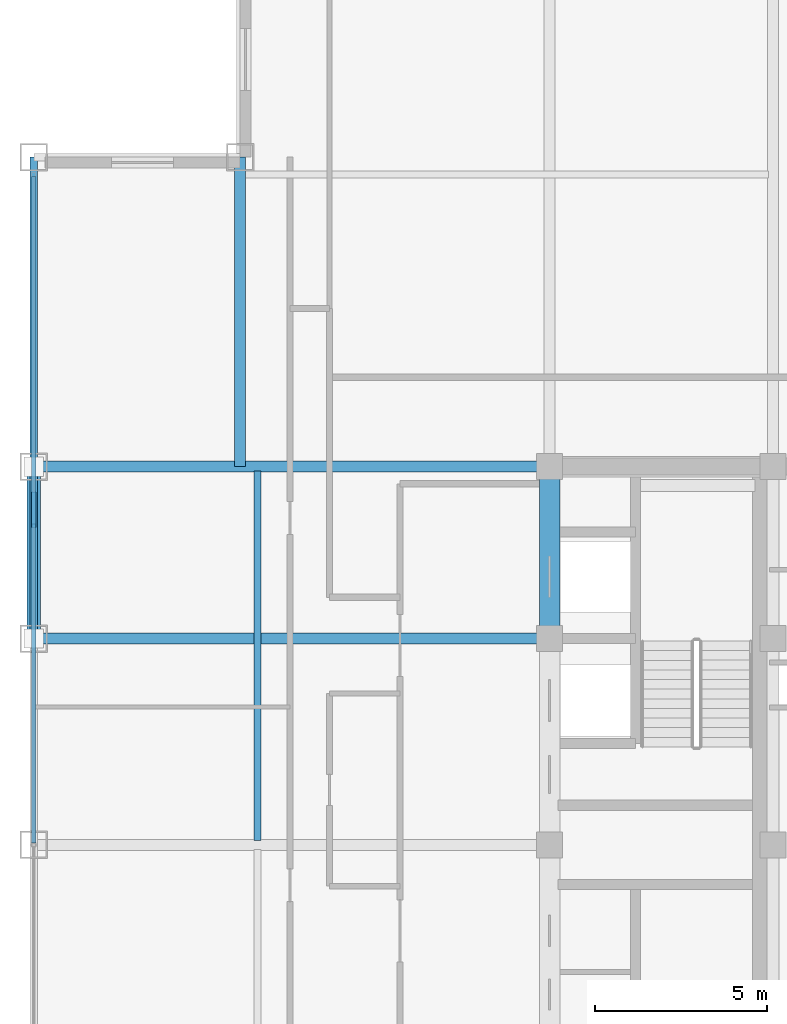
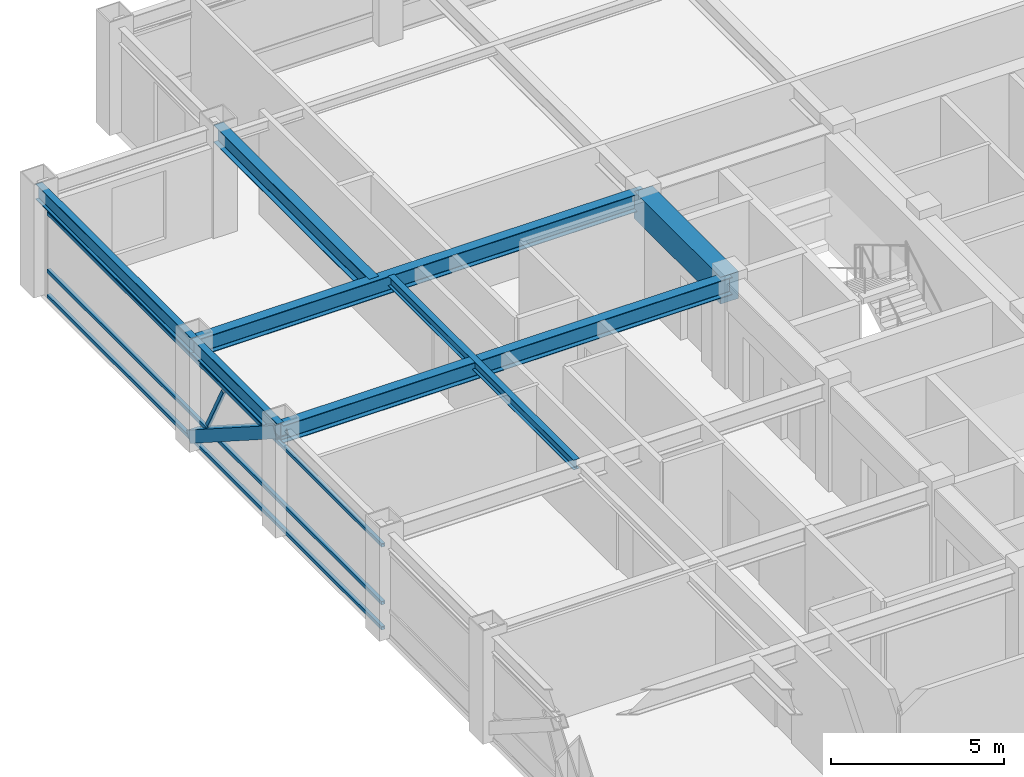
# One storey, part 13 of 32: 7 beams, 5 members, 1 element without a shape of its own.
"""IFC4 building model written with IfcOpenShell, lengths in metres."""

from ifc_helpers import new_model, si_unit, direction, frame, origin, origin_2d, place, context, subcontext, project, spatial, rectangle, hollow_rectangle, i_section, extrude, source, transform, mapped, material, material_profile, profile_set, type_object, element, aggregate, save


model = new_model("IFC4")

# Units and contexts
model_context = context("Model", 3, precision=1e-05, world=origin(), true_north=direction((0.0, 1.0)))
body_context = subcontext(model_context, "Body", "Model", "MODEL_VIEW")
ifc_project = project(units=[si_unit("LENGTHUNIT", "METRE"), si_unit("AREAUNIT", "SQUARE_METRE"), si_unit("VOLUMEUNIT", "CUBIC_METRE"), si_unit("PLANEANGLEUNIT", "RADIAN"), si_unit("MASSUNIT", "GRAM", prefix="KILO")], contexts=[model_context])

# Site, building, storey
site_placement = place(None, origin())
site = spatial("IfcSite", under=ifc_project, at=site_placement, CompositionType="ELEMENT")
building_placement = place(site_placement, origin())
building = spatial("IfcBuilding", under=site, at=building_placement, Name="Khorayat Bourse Tower", CompositionType="ELEMENT")
storey_placement = place(building_placement, frame((0.0, 0.0, 342.300048828125)))
storey = spatial("IfcBuildingStorey", under=building, at=storey_placement, Name="L81", CompositionType="ELEMENT", Elevation=342.300048828125)

# Beams
ifc_material_1 = material(Name="Concrete C60/75", Category="concrete")
ifc_material_profile_1 = material_profile(ifc_material_1, rectangle(XDim=0.60009765625, YDim=0.949951171875, at=origin_2d()), Name="RC 600x950")
ifc_profile_set_1 = profile_set([ifc_material_profile_1], Name="Concrete C60/75")
beam_type_1 = type_object("IfcBeamType", Name="BM-COUP-950", PredefinedType="BEAM", material=ifc_profile_set_1)
shared_shape_1 = source(origin(), body_context, "Body", "SweptSolid", [
    extrude(rectangle(XDim=0.60009765625, YDim=0.949951171875, at=origin_2d()), origin(), (0.0, 0.0, 1.0), 5.0),
])
beam_1_placement = place(storey_placement, frame((-11.0, 6.0, 3.224853515625), z_axis=(0.0, 1.0, 0.0), x_axis=(-1.0, 0.0, 0.0)))
element("IfcBeam", 1, at=beam_1_placement, inside=storey, type_object=beam_type_1, Name="L81 BM-COUP-950 BM-L81-CRX-04", PredefinedType="BEAM", context=body_context, shape_type="MappedRepresentation", body=[
    mapped(shared_shape_1, transform((0.0, 0.0, 0.0), scale=1.0)),
])
ifc_material_2 = material(Name="Steel ASTM A992 Grade 50", Category="steel")
ifc_material_profile_2 = material_profile(ifc_material_2, i_section(OverallWidth=0.202880859375, OverallDepth=0.346923828125, WebThickness=0.0078125, FlangeThickness=0.013427734375, FilletRadius=0.010009765625, at=origin_2d()), Name="W360X64")
ifc_profile_set_2 = profile_set([ifc_material_profile_2], Name="Steel ASTM A992 Grade 50")
beam_type_2 = type_object("IfcBeamType", Name="BM-JOIST-360", PredefinedType="JOIST", material=ifc_profile_set_2)
shared_shape_2 = source(origin(), body_context, "Body", "SweptSolid", [
    extrude(i_section(OverallWidth=0.202880859375, OverallDepth=0.346923828125, WebThickness=0.0078125, FlangeThickness=0.013427734375, FilletRadius=0.010009765625, at=origin_2d()), origin(), (0.0, 0.0, 1.0), 10.740234375),
])
beam_2_placement = place(storey_placement, frame((-19.5, 0.1298828125, 3.5263671875), z_axis=(0.0, 1.0, 0.0), x_axis=(-1.0, 0.0, 0.0)))
element("IfcBeam", 2, at=beam_2_placement, inside=storey, type_object=beam_type_2, Name="L81 BM-JOIST-360 BM-L81-JSTY-080", PredefinedType="JOIST", context=body_context, shape_type="MappedRepresentation", body=[
    mapped(shared_shape_2, transform((0.0, 0.0, 0.0), scale=1.0)),
])
ifc_material_profile_3 = material_profile(ifc_material_2, i_section(OverallWidth=0.214111328125, OverallDepth=0.549072265625, WebThickness=0.0146484375, FlangeThickness=0.023681640625, FilletRadius=0.013916015625, at=origin_2d()), Name="W530X138")
ifc_profile_set_3 = profile_set([ifc_material_profile_3], Name="Steel ASTM A992 Grade 50")
beam_type_3 = type_object("IfcBeamType", Name="BM-SPAN-530", PredefinedType="SPANDREL", material=ifc_profile_set_3)
shared_shape_3 = source(origin(), body_context, "Body", "SweptSolid", [
    extrude(i_section(OverallWidth=0.214111328125, OverallDepth=0.549072265625, WebThickness=0.0146484375, FlangeThickness=0.023681640625, FilletRadius=0.013916015625, at=origin_2d()), origin(), (0.0, 0.0, 1.0), 9.0),
])
beam_3_placement = place(storey_placement, frame((-26.0, 11.0, 3.425537109375), z_axis=(0.0, 1.0, 0.0), x_axis=(-1.0, 0.0, 0.0)))
element("IfcBeam", 3, at=beam_3_placement, inside=storey, type_object=beam_type_3, Name="L81 BM-SPAN-530 BM-L81-SPN-045", PredefinedType="SPANDREL", context=body_context, shape_type="MappedRepresentation", body=[
    mapped(shared_shape_3, transform((0.0, 0.0, 0.0), scale=1.0)),
])
shared_shape_4 = source(origin(), body_context, "Body", "SweptSolid", [
    extrude(i_section(OverallWidth=0.214111328125, OverallDepth=0.549072265625, WebThickness=0.0146484375, FlangeThickness=0.023681640625, FilletRadius=0.013916015625, at=origin_2d()), origin(), (0.0, 0.0, 1.0), 5.0),
])
beam_4_placement = place(storey_placement, frame((-26.0, 6.0, 3.425537109375), z_axis=(0.0, 1.0, 0.0), x_axis=(-1.0, 0.0, 0.0)))
element("IfcBeam", 4, at=beam_4_placement, inside=storey, type_object=beam_type_3, Name="L81 BM-SPAN-530 BM-L81-SPN-046", PredefinedType="SPANDREL", context=body_context, shape_type="MappedRepresentation", body=[
    mapped(shared_shape_4, transform((0.0, 0.0, 0.0), scale=1.0)),
])
ifc_material_profile_4 = material_profile(ifc_material_2, i_section(OverallWidth=0.324951171875, OverallDepth=0.615966796875, WebThickness=0.013916015625, FlangeThickness=0.021484375, FilletRadius=0.01611328125, at=origin_2d()), Name="W610X174")
ifc_profile_set_4 = profile_set([ifc_material_profile_4], Name="Steel ASTM A992 Grade 50")
beam_type_4 = type_object("IfcBeamType", Name="BM-GIRD-610", PredefinedType="BEAM", material=ifc_profile_set_4)
shared_shape_5 = source(origin(), body_context, "Body", "SweptSolid", [
    extrude(i_section(OverallWidth=0.324951171875, OverallDepth=0.615966796875, WebThickness=0.013916015625, FlangeThickness=0.021484375, FilletRadius=0.01611328125, at=origin_2d()), origin(), (0.0, 0.0, 1.0), 15.0),
])
for number, where, z_axis, x_axis, name in (
    (5, (-26.0, 6.0, 3.391845703125), (1.0, 0.0, 0.0), (0.0, 1.0, 0.0), "L81 BM-GIRD-610 BM-L81-RADX-068"),
    (6, (-26.0, 11.0, 3.391845703125), (1.0, 0.0, 0.0), (0.0, 1.0, 0.0), "L81 BM-GIRD-610 BM-L81-RADX-070"),
):
    element("IfcBeam", number, at=place(storey_placement, frame(where, z_axis=z_axis, x_axis=x_axis)), inside=storey, type_object=beam_type_4, Name=name, PredefinedType="BEAM", context=body_context, shape_type="MappedRepresentation", body=[
        mapped(shared_shape_5, transform((0.0, 0.0, 0.0), scale=1.0)),
    ])
shared_shape_6 = source(origin(), body_context, "Body", "SweptSolid", [
    extrude(i_section(OverallWidth=0.324951171875, OverallDepth=0.615966796875, WebThickness=0.013916015625, FlangeThickness=0.021484375, FilletRadius=0.01611328125, at=origin_2d()), origin(), (0.0, 0.0, 1.0), 9.0),
])
beam_5_placement = place(storey_placement, frame((-20.0, 11.0, 3.391845703125), z_axis=(0.0, 1.0, 0.0), x_axis=(-1.0, 0.0, 0.0)))
element("IfcBeam", 7, at=beam_5_placement, inside=storey, type_object=beam_type_4, Name="L81 BM-GIRD-610 BM-L81-CNRY-072", PredefinedType="BEAM", context=body_context, shape_type="MappedRepresentation", body=[
    mapped(shared_shape_6, transform((0.0, 0.0, 0.0), scale=1.0)),
])

# Member
ifc_material_3 = material(Name="Steel EN 10025-4 S460M", Category="steel")
ifc_material_profile_5 = material_profile(ifc_material_3, hollow_rectangle(XDim=0.39990234375, YDim=0.39990234375, WallThickness=0.02197265625, at=origin_2d()), Name="HSS 400x400x22")
ifc_profile_set_5 = profile_set([ifc_material_profile_5], Name="Steel EN 10025-4 S460M")
member_type_1 = type_object("IfcMemberType", Name="MBR-TUBE-400", PredefinedType="BRACE", material=ifc_profile_set_5)
shared_shape_7 = source(origin(), body_context, "Body", "SweptSolid", [
    extrude(hollow_rectangle(XDim=0.39990234375, YDim=0.39990234375, WallThickness=0.02197265625, at=origin_2d()), origin(), (0.0, 0.0, 1.0), 5.936279296875),
])
member_1_placement = place(storey_placement, frame((-26.0, 6.0, 3.449951171875), z_axis=(0.0, 0.84227513519, -0.539047861178), x_axis=(-1.0, 0.0, 0.0)))
element("IfcMember", 8, at=member_1_placement, inside=storey, type_object=member_type_1, Name="L81 Perimeter Tube Brace 06", PredefinedType="BRACE", context=body_context, shape_type="MappedRepresentation", body=[
    mapped(shared_shape_7, transform((0.0, 0.0, 0.0), scale=1.0)),
])

# Curtain wall, members
ifc_material_4 = material(Name="Aluminium EN AW-6063 T6", Category="aluminium")
curtain_wall_type = type_object("IfcCurtainWallType", Name="CW-SYS-04", PredefinedType="NOTDEFINED", material=ifc_material_4)
curtain_wall_placement = place(storey_placement, origin())
curtain_wall = element("IfcCurtainWall", 9, at=curtain_wall_placement, inside=storey, type_object=curtain_wall_type, Name="L81 Curtain Wall CW-L81-W1", PredefinedType="NOTDEFINED")
ifc_material_profile_6 = material_profile(ifc_material_4, hollow_rectangle(XDim=0.1201171875, YDim=0.1201171875, WallThickness=0.0048828125, at=origin_2d()), Name="ALU 120x120x5")
ifc_profile_set_6 = profile_set([ifc_material_profile_6], Name="Aluminium EN AW-6063 T6")
member_type_2 = type_object("IfcMemberType", Name="CWT-HORZ-120", PredefinedType="USERDEFINED", material=ifc_profile_set_6)
shared_shape_8 = source(origin(), body_context, "Body", "SweptSolid", [
    extrude(hollow_rectangle(XDim=0.1201171875, YDim=0.1201171875, WallThickness=0.0048828125, at=origin_2d()), origin(), (0.0, 0.0, 1.0), 19.369873046875),
])
member_2_placement = place(storey_placement, frame((-26.0, 0.06005859375, 0.06005859375), z_axis=(0.0, 1.0, 0.0), x_axis=(-1.0, 0.0, 0.0)))
member_2 = element("IfcMember", 10, at=member_2_placement, type_object=member_type_2, Name="CW-L81-W1 Horizontal Transom 2-1", ObjectType="TRANSOM", PredefinedType="USERDEFINED", context=body_context, shape_type="MappedRepresentation", body=[
    mapped(shared_shape_8, transform((0.0, 0.0, 0.0), scale=1.0)),
])
member_3_placement = place(storey_placement, frame((-26.0, 0.06005859375, 0.949951171875), z_axis=(0.0, 1.0, 0.0), x_axis=(-1.0, 0.0, 0.0)))
member_3 = element("IfcMember", 11, at=member_3_placement, type_object=member_type_2, Name="CW-L81-W1 Horizontal Transom 2-2", ObjectType="TRANSOM", PredefinedType="USERDEFINED", context=body_context, shape_type="MappedRepresentation", body=[
    mapped(shared_shape_8, transform((0.0, 0.0, 0.0), scale=1.0)),
])
member_4_placement = place(storey_placement, frame((-26.0, 0.06005859375, 2.989990234375), z_axis=(0.0, 1.0, 0.0), x_axis=(-1.0, 0.0, 0.0)))
member_4 = element("IfcMember", 12, at=member_4_placement, type_object=member_type_2, Name="CW-L81-W1 Horizontal Transom 2-3", ObjectType="TRANSOM", PredefinedType="USERDEFINED", context=body_context, shape_type="MappedRepresentation", body=[
    mapped(shared_shape_8, transform((0.0, 0.0, 0.0), scale=1.0)),
])
ifc_material_profile_7 = material_profile(ifc_material_4, hollow_rectangle(XDim=0.1201171875, YDim=0.1201171875, WallThickness=0.0048828125, at=origin_2d()), Name="ALU 120x120x5")
ifc_profile_set_7 = profile_set([ifc_material_profile_7], Name="Aluminium EN AW-6063 T6")
member_type_3 = type_object("IfcMemberType", Name="CWM-DIAG-120", PredefinedType="MULLION", material=ifc_profile_set_7)
shared_shape_9 = source(origin(), body_context, "Body", "SweptSolid", [
    extrude(hollow_rectangle(XDim=0.1201171875, YDim=0.1201171875, WallThickness=0.0048828125, at=origin_2d()), origin(), (0.0, 0.0, 1.0), 1.989013671875),
])
member_5_placement = place(storey_placement, frame((-26.0, 10.208251953125, 1.08984375), z_axis=(0.0, -0.46582231551, 0.884878279976), x_axis=(1.0, 0.0, 0.0)))
member_5 = element("IfcMember", 13, at=member_5_placement, type_object=member_type_3, Name="CW-L81-W1 Faceted Diagonal Mullion 2", PredefinedType="MULLION", context=body_context, shape_type="MappedRepresentation", body=[
    mapped(shared_shape_9, transform((0.0, 0.0, 0.0), scale=1.0)),
])
aggregate(curtain_wall, [member_2, member_3, member_4, member_5])

save(model, "model.ifc")
